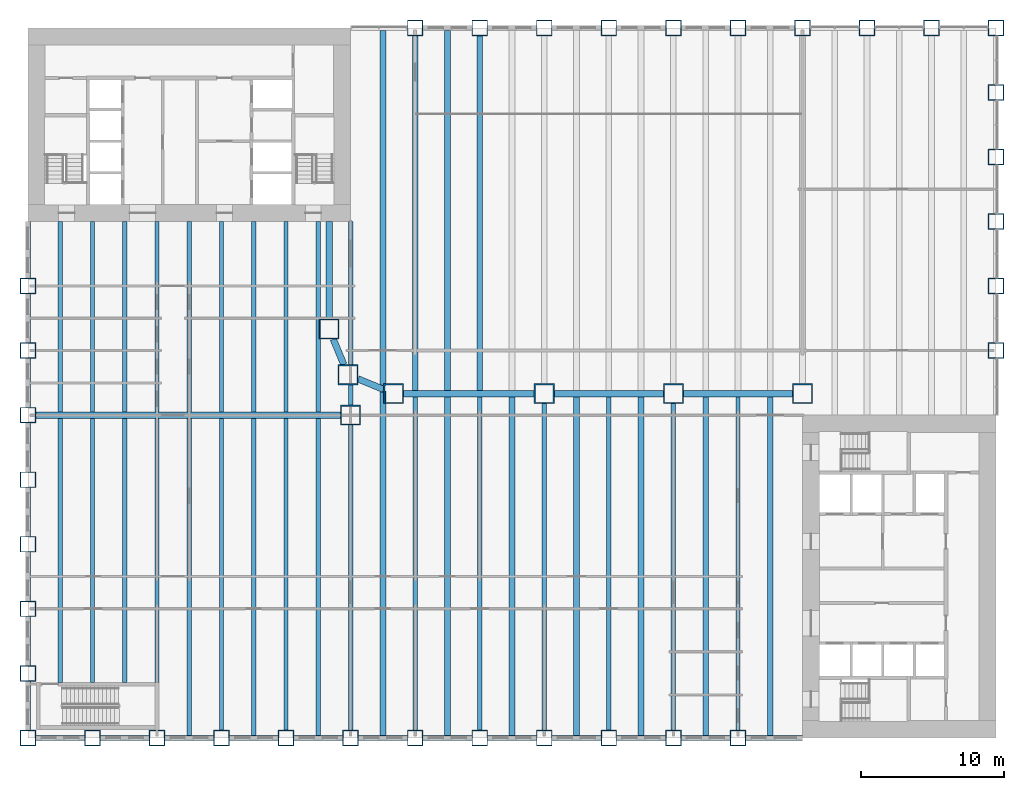
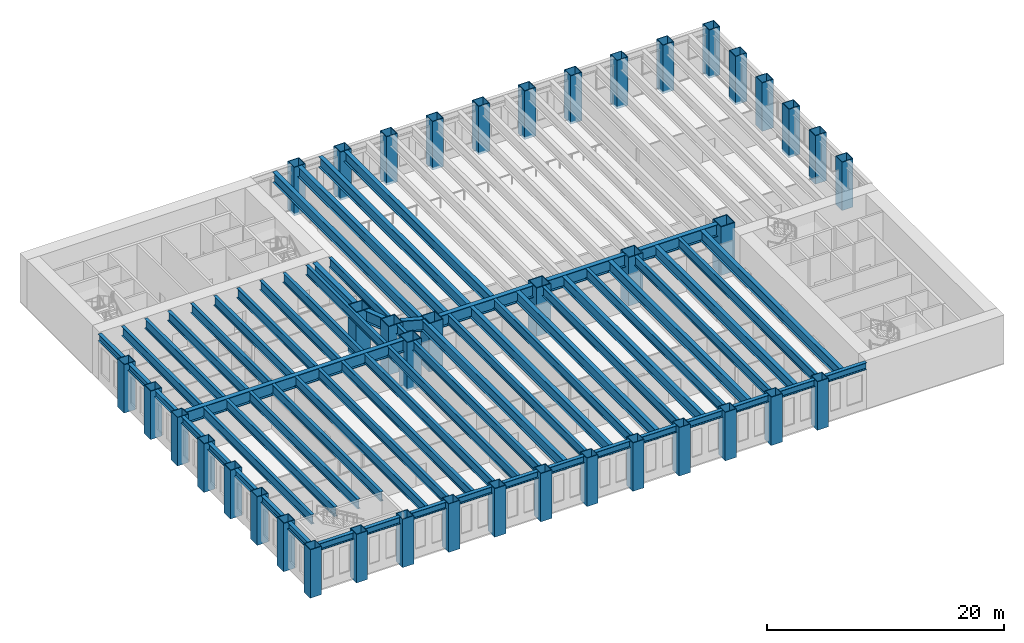
# One storey, part 1 of 19: 65 beams, 41 columns.
"""IFC4 building model written with IfcOpenShell, lengths in metres."""

from ifc_helpers import new_model, si_unit, direction, frame, origin, origin_2d, place, context, subcontext, project, spatial, hollow_rectangle, i_section, extrude, material, material_profile, profile_set, type_object, element, save


model = new_model("IFC4")

# Units and contexts
model_context = context("Model", 3, precision=1e-05, world=origin(), true_north=direction((0.0, 1.0)))
body_context = subcontext(model_context, "Body", "Model", "MODEL_VIEW")
ifc_project = project(units=[si_unit("LENGTHUNIT", "METRE"), si_unit("AREAUNIT", "SQUARE_METRE"), si_unit("VOLUMEUNIT", "CUBIC_METRE"), si_unit("PLANEANGLEUNIT", "RADIAN"), si_unit("MASSUNIT", "GRAM", prefix="KILO")], contexts=[model_context])

# Site, building, storey
site_placement = place(None, origin())
site = spatial("IfcSite", under=ifc_project, at=site_placement, CompositionType="ELEMENT")
building_placement = place(site_placement, origin())
building = spatial("IfcBuilding", under=site, at=building_placement, Name="Sennacour Bend Tower", CompositionType="ELEMENT")
storey_placement = place(building_placement, frame((0.0, 0.0, 14.0)))
storey = spatial("IfcBuildingStorey", under=building, at=storey_placement, Name="L02", CompositionType="ELEMENT", Elevation=14.0)

# Columns
ifc_material_1 = material(Name="Steel ASTM A572 Grade 50", Category="steel")
ifc_material_profile_1 = material_profile(ifc_material_1, hollow_rectangle(XDim=1.10009765625, YDim=1.10009765625, WallThickness=0.06005859375, at=origin_2d()), Name="Steel ASTM A572 Grade 50", Category="steel")
ifc_profile_set_1 = profile_set([ifc_material_profile_1], Name="Steel ASTM A572 Grade 50")
column_type_1 = type_object("IfcColumnType", Name="Box column 1100", PredefinedType="COLUMN", material=ifc_profile_set_1)
for number, where, z_axis, x_axis, name in (
    (1, (0.0, 0.0, -0.25), (0.0, 0.0, 1.0), (1.0, 0.0, 0.0), "Perimeter column C1 L02-001"),
    (2, (0.0, 4.5, -0.25), (0.0, 0.0, 1.0), (1.0, 0.0, 0.0), "Perimeter column C1 L02-002"),
    (3, (0.0, 9.0, -0.25), (0.0, 0.0, 1.0), (1.0, 0.0, 0.0), "Perimeter column C1 L02-003"),
    (4, (0.0, 13.5, -0.25), (0.0, 0.0, 1.0), (1.0, 0.0, 0.0), "Perimeter column C1 L02-004"),
    (5, (0.0, 18.0, -0.25), (0.0, 0.0, 1.0), (1.0, 0.0, 0.0), "Perimeter column C1 L02-005"),
    (6, (0.0, 22.5, -0.25), (0.0, 0.0, 1.0), (1.0, 0.0, 0.0), "Perimeter column C1 L02-006"),
    (7, (0.0, 27.0, -0.25), (0.0, 0.0, 1.0), (1.0, 0.0, 0.0), "Perimeter column C1 L02-007"),
    (8, (0.0, 31.5, -0.25), (0.0, 0.0, 1.0), (1.0, 0.0, 0.0), "Perimeter column C1 L02-008"),
    (9, (4.5, 0.0, -0.25), (0.0, 0.0, 1.0), (1.0, 0.0, 0.0), "Perimeter column C1 L02-009"),
    (10, (9.0, 0.0, -0.25), (0.0, 0.0, 1.0), (1.0, 0.0, 0.0), "Perimeter column C1 L02-010"),
    (11, (13.5, 0.0, -0.25), (0.0, 0.0, 1.0), (1.0, 0.0, 0.0), "Perimeter column C1 L02-011"),
    (12, (18.0, 0.0, -0.25), (0.0, 0.0, 1.0), (1.0, 0.0, 0.0), "Perimeter column C1 L02-012"),
    (13, (22.5, 0.0, -0.25), (0.0, 0.0, 1.0), (1.0, 0.0, 0.0), "Perimeter column C1 L02-015"),
    (14, (27.0, 0.0, -0.25), (0.0, 0.0, 1.0), (1.0, 0.0, 0.0), "Perimeter column C1 L02-018"),
    (15, (27.0, 49.5, -0.25), (0.0, 0.0, 1.0), (1.0, 0.0, 0.0), "Perimeter column C1 L02-019"),
    (16, (31.5, 0.0, -0.25), (0.0, 0.0, 1.0), (1.0, 0.0, 0.0), "Perimeter column C1 L02-020"),
    (17, (31.5, 49.5, -0.25), (0.0, 0.0, 1.0), (1.0, 0.0, 0.0), "Perimeter column C1 L02-021"),
    (18, (36.0, 0.0, -0.25), (0.0, 0.0, 1.0), (1.0, 0.0, 0.0), "Perimeter column C1 L02-022"),
    (19, (36.0, 49.5, -0.25), (0.0, 0.0, 1.0), (1.0, 0.0, 0.0), "Perimeter column C1 L02-024"),
    (20, (40.5, 0.0, -0.25), (0.0, 0.0, 1.0), (1.0, 0.0, 0.0), "Perimeter column C1 L02-025"),
    (21, (40.5, 49.5, -0.25), (0.0, 0.0, 1.0), (1.0, 0.0, 0.0), "Perimeter column C1 L02-026"),
    (22, (45.0, 0.0, -0.25), (0.0, 0.0, 1.0), (1.0, 0.0, 0.0), "Perimeter column C1 L02-027"),
    (23, (45.0, 49.5, -0.25), (0.0, 0.0, 1.0), (1.0, 0.0, 0.0), "Perimeter column C1 L02-029"),
    (24, (49.5, 0.0, -0.25), (0.0, 0.0, 1.0), (1.0, 0.0, 0.0), "Perimeter column C1 L02-030"),
    (25, (49.5, 49.5, -0.25), (0.0, 0.0, 1.0), (1.0, 0.0, 0.0), "Perimeter column C1 L02-031"),
    (26, (54.0, 49.5, -0.25), (0.0, 0.0, 1.0), (1.0, 0.0, 0.0), "Perimeter column C1 L02-033"),
    (27, (58.5, 49.5, -0.25), (0.0, 0.0, 1.0), (1.0, 0.0, 0.0), "Perimeter column C1 L02-034"),
    (28, (63.0, 49.5, -0.25), (0.0, 0.0, 1.0), (1.0, 0.0, 0.0), "Perimeter column C1 L02-035"),
    (29, (67.5, 27.0, -0.25), (0.0, 0.0, 1.0), (1.0, 0.0, 0.0), "Perimeter column C1 L02-036"),
    (30, (67.5, 31.5, -0.25), (0.0, 0.0, 1.0), (1.0, 0.0, 0.0), "Perimeter column C1 L02-037"),
    (31, (67.5, 36.0, -0.25), (0.0, 0.0, 1.0), (1.0, 0.0, 0.0), "Perimeter column C1 L02-038"),
    (32, (67.5, 40.5, -0.25), (0.0, 0.0, 1.0), (1.0, 0.0, 0.0), "Perimeter column C1 L02-039"),
    (33, (67.5, 45.0, -0.25), (0.0, 0.0, 1.0), (1.0, 0.0, 0.0), "Perimeter column C1 L02-040"),
    (34, (67.5, 49.5, -0.25), (0.0, 0.0, 1.0), (1.0, 0.0, 0.0), "Perimeter column C1 L02-041"),
):
    element("IfcColumn", number, at=place(storey_placement, frame(where, z_axis=z_axis, x_axis=x_axis)), inside=storey, type_object=column_type_1, Name=name, PredefinedType="COLUMN", context=body_context, shape_type="SweptSolid", body=[
        extrude(hollow_rectangle(XDim=1.10009765625, YDim=1.10009765625, WallThickness=0.06005859375, at=origin_2d()), origin(), (0.0, 0.0, 1.0), 5.0),
    ])
ifc_material_profile_2 = material_profile(ifc_material_1, hollow_rectangle(XDim=1.39990234375, YDim=1.39990234375, WallThickness=0.080078125, at=origin_2d()), Name="Steel ASTM A572 Grade 50", Category="steel")
ifc_profile_set_2 = profile_set([ifc_material_profile_2], Name="Steel ASTM A572 Grade 50")
column_type_2 = type_object("IfcColumnType", Name="Mega box column 1400", PredefinedType="COLUMN", material=ifc_profile_set_2)
for number, where, z_axis, x_axis, name in (
    (35, (21.0, 28.5, -0.25), (0.0, 0.0, 1.0), (1.0, 0.0, 0.0), "Mega column C0 L02-013"),
    (36, (22.318115234375, 25.318115234375, -0.25), (0.0, 0.0, 1.0), (1.0, 0.0, 0.0), "Mega column C0 L02-014"),
    (37, (22.5, 22.5, -0.25), (0.0, 0.0, 1.0), (1.0, 0.0, 0.0), "Knuckle column C0 L02-016"),
    (38, (25.5, 24.0, -0.25), (0.0, 0.0, 1.0), (1.0, 0.0, 0.0), "Mega column C0 L02-017"),
    (39, (36.0, 24.0, -0.25), (0.0, 0.0, 1.0), (1.0, 0.0, 0.0), "Mega column C0 L02-023"),
    (40, (45.0, 24.0, -0.25), (0.0, 0.0, 1.0), (1.0, 0.0, 0.0), "Mega column C0 L02-028"),
    (41, (54.0, 24.0, -0.25), (0.0, 0.0, 1.0), (1.0, 0.0, 0.0), "Mega column C0 L02-032"),
):
    element("IfcColumn", number, at=place(storey_placement, frame(where, z_axis=z_axis, x_axis=x_axis)), inside=storey, type_object=column_type_2, Name=name, PredefinedType="COLUMN", context=body_context, shape_type="SweptSolid", body=[
        extrude(hollow_rectangle(XDim=1.39990234375, YDim=1.39990234375, WallThickness=0.080078125, at=origin_2d()), origin(), (0.0, 0.0, 1.0), 5.0),
    ])

# Beams
ifc_material_2 = material(Name="Steel ASTM A992 Grade 50", Category="steel")
ifc_material_profile_3 = material_profile(ifc_material_2, i_section(OverallWidth=0.300048828125, OverallDepth=0.990966796875, WebThickness=0.0166015625, FlangeThickness=0.030517578125, FilletRadius=0.030029296875, at=origin_2d()), Name="Steel ASTM A992 Grade 50", Category="steel")
ifc_profile_set_3 = profile_set([ifc_material_profile_3], Name="Steel ASTM A992 Grade 50")
beam_type_1 = type_object("IfcBeamType", Name="Floor beam W1000X272", PredefinedType="BEAM", material=ifc_profile_set_3)
beam_1_placement = place(storey_placement, frame((2.25, 3.875, 4.25439453125), z_axis=(0.0, 1.0, 0.0), x_axis=(-1.0, 0.0, 0.0)))
element("IfcBeam", 42, at=beam_1_placement, inside=storey, type_object=beam_type_1, Name="Floor beam FBM3 L03-001", PredefinedType="BEAM", context=body_context, shape_type="SweptSolid", body=[
    extrude(i_section(OverallWidth=0.300048828125, OverallDepth=0.990966796875, WebThickness=0.0166015625, FlangeThickness=0.030517578125, FilletRadius=0.030029296875, at=origin_2d()), origin(), (0.0, 0.0, 1.0), 18.39990234375),
])
beam_2_placement = place(storey_placement, frame((2.25, 22.72509765625, 4.25439453125), z_axis=(0.0, 1.0, 0.0), x_axis=(-1.0, 0.0, 0.0)))
element("IfcBeam", 43, at=beam_2_placement, inside=storey, type_object=beam_type_1, Name="Floor beam FBM3 L03-002", PredefinedType="BEAM", context=body_context, shape_type="SweptSolid", body=[
    extrude(i_section(OverallWidth=0.300048828125, OverallDepth=0.990966796875, WebThickness=0.0166015625, FlangeThickness=0.030517578125, FilletRadius=0.030029296875, at=origin_2d()), origin(), (0.0, 0.0, 1.0), 13.27490234375),
])
beam_3_placement = place(storey_placement, frame((4.5, 3.875, 4.25439453125), z_axis=(0.0, 1.0, 0.0), x_axis=(-1.0, 0.0, 0.0)))
element("IfcBeam", 44, at=beam_3_placement, inside=storey, type_object=beam_type_1, Name="Floor beam FBM3 L03-003", PredefinedType="BEAM", context=body_context, shape_type="SweptSolid", body=[
    extrude(i_section(OverallWidth=0.300048828125, OverallDepth=0.990966796875, WebThickness=0.0166015625, FlangeThickness=0.030517578125, FilletRadius=0.030029296875, at=origin_2d()), origin(), (0.0, 0.0, 1.0), 18.39990234375),
])
beam_4_placement = place(storey_placement, frame((4.5, 22.72509765625, 4.25439453125), z_axis=(0.0, 1.0, 0.0), x_axis=(-1.0, 0.0, 0.0)))
element("IfcBeam", 45, at=beam_4_placement, inside=storey, type_object=beam_type_1, Name="Floor beam FBM3 L03-004", PredefinedType="BEAM", context=body_context, shape_type="SweptSolid", body=[
    extrude(i_section(OverallWidth=0.300048828125, OverallDepth=0.990966796875, WebThickness=0.0166015625, FlangeThickness=0.030517578125, FilletRadius=0.030029296875, at=origin_2d()), origin(), (0.0, 0.0, 1.0), 13.27490234375),
])
beam_5_placement = place(storey_placement, frame((6.75, 3.875, 4.25439453125), z_axis=(0.0, 1.0, 0.0), x_axis=(-1.0, 0.0, 0.0)))
element("IfcBeam", 46, at=beam_5_placement, inside=storey, type_object=beam_type_1, Name="Floor beam FBM3 L03-005", PredefinedType="BEAM", context=body_context, shape_type="SweptSolid", body=[
    extrude(i_section(OverallWidth=0.300048828125, OverallDepth=0.990966796875, WebThickness=0.0166015625, FlangeThickness=0.030517578125, FilletRadius=0.030029296875, at=origin_2d()), origin(), (0.0, 0.0, 1.0), 18.39990234375),
])
beam_6_placement = place(storey_placement, frame((6.75, 22.72509765625, 4.25439453125), z_axis=(0.0, 1.0, 0.0), x_axis=(-1.0, 0.0, 0.0)))
element("IfcBeam", 47, at=beam_6_placement, inside=storey, type_object=beam_type_1, Name="Floor beam FBM3 L03-006", PredefinedType="BEAM", context=body_context, shape_type="SweptSolid", body=[
    extrude(i_section(OverallWidth=0.300048828125, OverallDepth=0.990966796875, WebThickness=0.0166015625, FlangeThickness=0.030517578125, FilletRadius=0.030029296875, at=origin_2d()), origin(), (0.0, 0.0, 1.0), 13.27490234375),
])
beam_7_placement = place(storey_placement, frame((9.0, 3.875, 4.25439453125), z_axis=(0.0, 1.0, 0.0), x_axis=(-1.0, 0.0, 0.0)))
element("IfcBeam", 48, at=beam_7_placement, inside=storey, type_object=beam_type_1, Name="Floor beam FBM3 L03-007", PredefinedType="BEAM", context=body_context, shape_type="SweptSolid", body=[
    extrude(i_section(OverallWidth=0.300048828125, OverallDepth=0.990966796875, WebThickness=0.0166015625, FlangeThickness=0.030517578125, FilletRadius=0.030029296875, at=origin_2d()), origin(), (0.0, 0.0, 1.0), 18.39990234375),
])
beam_8_placement = place(storey_placement, frame((9.0, 22.72509765625, 4.25439453125), z_axis=(0.0, 1.0, 0.0), x_axis=(-1.0, 0.0, 0.0)))
element("IfcBeam", 49, at=beam_8_placement, inside=storey, type_object=beam_type_1, Name="Floor beam FBM3 L03-008", PredefinedType="BEAM", context=body_context, shape_type="SweptSolid", body=[
    extrude(i_section(OverallWidth=0.300048828125, OverallDepth=0.990966796875, WebThickness=0.0166015625, FlangeThickness=0.030517578125, FilletRadius=0.030029296875, at=origin_2d()), origin(), (0.0, 0.0, 1.0), 13.27490234375),
])
beam_9_placement = place(storey_placement, frame((11.25, 0.177978515625, 4.25439453125), z_axis=(0.0, 1.0, 0.0), x_axis=(-1.0, 0.0, 0.0)))
element("IfcBeam", 50, at=beam_9_placement, inside=storey, type_object=beam_type_1, Name="Floor beam FBM3 L03-009", PredefinedType="BEAM", context=body_context, shape_type="SweptSolid", body=[
    extrude(i_section(OverallWidth=0.300048828125, OverallDepth=0.990966796875, WebThickness=0.0166015625, FlangeThickness=0.030517578125, FilletRadius=0.030029296875, at=origin_2d()), origin(), (0.0, 0.0, 1.0), 22.096923828125),
])
beam_10_placement = place(storey_placement, frame((11.25, 22.72509765625, 4.25439453125), z_axis=(0.0, 1.0, 0.0), x_axis=(-1.0, 0.0, 0.0)))
element("IfcBeam", 51, at=beam_10_placement, inside=storey, type_object=beam_type_1, Name="Floor beam FBM3 L03-010", PredefinedType="BEAM", context=body_context, shape_type="SweptSolid", body=[
    extrude(i_section(OverallWidth=0.300048828125, OverallDepth=0.990966796875, WebThickness=0.0166015625, FlangeThickness=0.030517578125, FilletRadius=0.030029296875, at=origin_2d()), origin(), (0.0, 0.0, 1.0), 13.27490234375),
])
beam_11_placement = place(storey_placement, frame((13.5, 0.550048828125, 4.25439453125), z_axis=(0.0, 1.0, 0.0), x_axis=(-1.0, 0.0, 0.0)))
element("IfcBeam", 52, at=beam_11_placement, inside=storey, type_object=beam_type_1, Name="Floor beam FBM3 L03-011", PredefinedType="BEAM", context=body_context, shape_type="SweptSolid", body=[
    extrude(i_section(OverallWidth=0.300048828125, OverallDepth=0.990966796875, WebThickness=0.0166015625, FlangeThickness=0.030517578125, FilletRadius=0.030029296875, at=origin_2d()), origin(), (0.0, 0.0, 1.0), 21.724853515625),
])
beam_12_placement = place(storey_placement, frame((13.5, 22.72509765625, 4.25439453125), z_axis=(0.0, 1.0, 0.0), x_axis=(-1.0, 0.0, 0.0)))
element("IfcBeam", 53, at=beam_12_placement, inside=storey, type_object=beam_type_1, Name="Floor beam FBM3 L03-012", PredefinedType="BEAM", context=body_context, shape_type="SweptSolid", body=[
    extrude(i_section(OverallWidth=0.300048828125, OverallDepth=0.990966796875, WebThickness=0.0166015625, FlangeThickness=0.030517578125, FilletRadius=0.030029296875, at=origin_2d()), origin(), (0.0, 0.0, 1.0), 13.27490234375),
])
beam_13_placement = place(storey_placement, frame((15.75, 0.177978515625, 4.25439453125), z_axis=(0.0, 1.0, 0.0), x_axis=(-1.0, 0.0, 0.0)))
element("IfcBeam", 54, at=beam_13_placement, inside=storey, type_object=beam_type_1, Name="Floor beam FBM3 L03-013", PredefinedType="BEAM", context=body_context, shape_type="SweptSolid", body=[
    extrude(i_section(OverallWidth=0.300048828125, OverallDepth=0.990966796875, WebThickness=0.0166015625, FlangeThickness=0.030517578125, FilletRadius=0.030029296875, at=origin_2d()), origin(), (0.0, 0.0, 1.0), 22.096923828125),
])
beam_14_placement = place(storey_placement, frame((15.75, 22.72509765625, 4.25439453125), z_axis=(0.0, 1.0, 0.0), x_axis=(-1.0, 0.0, 0.0)))
element("IfcBeam", 55, at=beam_14_placement, inside=storey, type_object=beam_type_1, Name="Floor beam FBM3 L03-014", PredefinedType="BEAM", context=body_context, shape_type="SweptSolid", body=[
    extrude(i_section(OverallWidth=0.300048828125, OverallDepth=0.990966796875, WebThickness=0.0166015625, FlangeThickness=0.030517578125, FilletRadius=0.030029296875, at=origin_2d()), origin(), (0.0, 0.0, 1.0), 13.27490234375),
])
beam_15_placement = place(storey_placement, frame((18.0, 0.550048828125, 4.25439453125), z_axis=(0.0, 1.0, 0.0), x_axis=(-1.0, 0.0, 0.0)))
element("IfcBeam", 56, at=beam_15_placement, inside=storey, type_object=beam_type_1, Name="Floor beam FBM3 L03-015", PredefinedType="BEAM", context=body_context, shape_type="SweptSolid", body=[
    extrude(i_section(OverallWidth=0.300048828125, OverallDepth=0.990966796875, WebThickness=0.0166015625, FlangeThickness=0.030517578125, FilletRadius=0.030029296875, at=origin_2d()), origin(), (0.0, 0.0, 1.0), 21.724853515625),
])
beam_16_placement = place(storey_placement, frame((18.0, 22.72509765625, 4.25439453125), z_axis=(0.0, 1.0, 0.0), x_axis=(-1.0, 0.0, 0.0)))
element("IfcBeam", 57, at=beam_16_placement, inside=storey, type_object=beam_type_1, Name="Floor beam FBM3 L03-016", PredefinedType="BEAM", context=body_context, shape_type="SweptSolid", body=[
    extrude(i_section(OverallWidth=0.300048828125, OverallDepth=0.990966796875, WebThickness=0.0166015625, FlangeThickness=0.030517578125, FilletRadius=0.030029296875, at=origin_2d()), origin(), (0.0, 0.0, 1.0), 13.27490234375),
])
beam_17_placement = place(storey_placement, frame((20.25, 0.177978515625, 4.25439453125), z_axis=(0.0, 1.0, 0.0), x_axis=(-1.0, 0.0, 0.0)))
element("IfcBeam", 58, at=beam_17_placement, inside=storey, type_object=beam_type_1, Name="Floor beam FBM3 L03-017", PredefinedType="BEAM", context=body_context, shape_type="SweptSolid", body=[
    extrude(i_section(OverallWidth=0.300048828125, OverallDepth=0.990966796875, WebThickness=0.0166015625, FlangeThickness=0.030517578125, FilletRadius=0.030029296875, at=origin_2d()), origin(), (0.0, 0.0, 1.0), 22.096923828125),
])
beam_18_placement = place(storey_placement, frame((20.25, 22.72509765625, 4.25439453125), z_axis=(0.0, 1.0, 0.0), x_axis=(-1.0, 0.0, 0.0)))
element("IfcBeam", 59, at=beam_18_placement, inside=storey, type_object=beam_type_1, Name="Floor beam FBM3 L03-018", PredefinedType="BEAM", context=body_context, shape_type="SweptSolid", body=[
    extrude(i_section(OverallWidth=0.300048828125, OverallDepth=0.990966796875, WebThickness=0.0166015625, FlangeThickness=0.030517578125, FilletRadius=0.030029296875, at=origin_2d()), origin(), (0.0, 0.0, 1.0), 13.27490234375),
])
beam_19_placement = place(storey_placement, frame((22.5, 0.550048828125, 4.25439453125), z_axis=(0.0, 1.0, 0.0), x_axis=(-1.0, 0.0, 0.0)))
element("IfcBeam", 60, at=beam_19_placement, inside=storey, type_object=beam_type_1, Name="Floor beam FBM3 L03-019", PredefinedType="BEAM", context=body_context, shape_type="SweptSolid", body=[
    extrude(i_section(OverallWidth=0.300048828125, OverallDepth=0.990966796875, WebThickness=0.0166015625, FlangeThickness=0.030517578125, FilletRadius=0.030029296875, at=origin_2d()), origin(), (0.0, 0.0, 1.0), 21.25),
])
beam_20_placement = place(storey_placement, frame((22.5, 23.199951171875, 4.25439453125), z_axis=(0.0, 1.0, 0.0), x_axis=(-1.0, 0.0, 0.0)))
element("IfcBeam", 61, at=beam_20_placement, inside=storey, type_object=beam_type_1, Name="Floor beam FBM3 L03-020", PredefinedType="BEAM", context=body_context, shape_type="SweptSolid", body=[
    extrude(i_section(OverallWidth=0.300048828125, OverallDepth=0.990966796875, WebThickness=0.0166015625, FlangeThickness=0.030517578125, FilletRadius=0.030029296875, at=origin_2d()), origin(), (0.0, 0.0, 1.0), 1.41796875),
])
beam_21_placement = place(storey_placement, frame((22.5, 26.01806640625, 4.25439453125), z_axis=(0.0, 1.0, 0.0), x_axis=(-1.0, 0.0, 0.0)))
element("IfcBeam", 62, at=beam_21_placement, inside=storey, type_object=beam_type_1, Name="Floor beam FBM3 L03-021", PredefinedType="BEAM", context=body_context, shape_type="SweptSolid", body=[
    extrude(i_section(OverallWidth=0.300048828125, OverallDepth=0.990966796875, WebThickness=0.0166015625, FlangeThickness=0.030517578125, FilletRadius=0.030029296875, at=origin_2d()), origin(), (0.0, 0.0, 1.0), 9.98193359375),
])
for number, where, z_axis, x_axis, name in (
    (63, (27.0, 0.550048828125, 4.25439453125), (0.0, 1.0, 0.0), (-1.0, 0.0, 0.0), "Floor beam FBM3 L03-024"),
    (64, (31.5, 0.550048828125, 4.25439453125), (0.0, 1.0, 0.0), (-1.0, 0.0, 0.0), "Floor beam FBM3 L03-028"),
):
    element("IfcBeam", number, at=place(storey_placement, frame(where, z_axis=z_axis, x_axis=x_axis)), inside=storey, type_object=beam_type_1, Name=name, PredefinedType="BEAM", context=body_context, shape_type="SweptSolid", body=[
        extrude(i_section(OverallWidth=0.300048828125, OverallDepth=0.990966796875, WebThickness=0.0166015625, FlangeThickness=0.030517578125, FilletRadius=0.030029296875, at=origin_2d()), origin(), (0.0, 0.0, 1.0), 23.224853515625),
    ])
beam_22_placement = place(storey_placement, frame((36.0, 0.550048828125, 4.25439453125), z_axis=(0.0, 1.0, 0.0), x_axis=(-1.0, 0.0, 0.0)))
element("IfcBeam", 65, at=beam_22_placement, inside=storey, type_object=beam_type_1, Name="Floor beam FBM3 L03-032", PredefinedType="BEAM", context=body_context, shape_type="SweptSolid", body=[
    extrude(i_section(OverallWidth=0.300048828125, OverallDepth=0.990966796875, WebThickness=0.0166015625, FlangeThickness=0.030517578125, FilletRadius=0.030029296875, at=origin_2d()), origin(), (0.0, 0.0, 1.0), 22.75),
])
beam_23_placement = place(storey_placement, frame((40.5, 0.550048828125, 4.25439453125), z_axis=(0.0, 1.0, 0.0), x_axis=(-1.0, 0.0, 0.0)))
element("IfcBeam", 66, at=beam_23_placement, inside=storey, type_object=beam_type_1, Name="Floor beam FBM3 L03-036", PredefinedType="BEAM", context=body_context, shape_type="SweptSolid", body=[
    extrude(i_section(OverallWidth=0.300048828125, OverallDepth=0.990966796875, WebThickness=0.0166015625, FlangeThickness=0.030517578125, FilletRadius=0.030029296875, at=origin_2d()), origin(), (0.0, 0.0, 1.0), 23.224853515625),
])
beam_24_placement = place(storey_placement, frame((45.0, 0.550048828125, 4.25439453125), z_axis=(0.0, 1.0, 0.0), x_axis=(-1.0, 0.0, 0.0)))
element("IfcBeam", 67, at=beam_24_placement, inside=storey, type_object=beam_type_1, Name="Floor beam FBM3 L03-040", PredefinedType="BEAM", context=body_context, shape_type="SweptSolid", body=[
    extrude(i_section(OverallWidth=0.300048828125, OverallDepth=0.990966796875, WebThickness=0.0166015625, FlangeThickness=0.030517578125, FilletRadius=0.030029296875, at=origin_2d()), origin(), (0.0, 0.0, 1.0), 22.75),
])
beam_25_placement = place(storey_placement, frame((49.5, 0.550048828125, 4.25439453125), z_axis=(0.0, 1.0, 0.0), x_axis=(-1.0, 0.0, 0.0)))
element("IfcBeam", 68, at=beam_25_placement, inside=storey, type_object=beam_type_1, Name="Floor beam FBM3 L03-044", PredefinedType="BEAM", context=body_context, shape_type="SweptSolid", body=[
    extrude(i_section(OverallWidth=0.300048828125, OverallDepth=0.990966796875, WebThickness=0.0166015625, FlangeThickness=0.030517578125, FilletRadius=0.030029296875, at=origin_2d()), origin(), (0.0, 0.0, 1.0), 23.224853515625),
])
ifc_material_profile_4 = material_profile(ifc_material_1, i_section(OverallWidth=0.449951171875, OverallDepth=1.25, WebThickness=0.028076171875, FlangeThickness=0.050048828125, at=origin_2d()), Name="Steel ASTM A572 Grade 50", Category="steel")
ifc_profile_set_4 = profile_set([ifc_material_profile_4], Name="Steel ASTM A572 Grade 50")
beam_type_2 = type_object("IfcBeamType", Name="Knuckle girder 1250", PredefinedType="USERDEFINED", material=ifc_profile_set_4)
for number, where, z_axis, x_axis, name in (
    (69, (24.800048828125, 24.2900390625, 4.125), (-0.923894961945, 0.382646180293, 0.0), (-0.382646180293, -0.923894961945, 0.0), "Podium girder GK L03-001"),
    (70, (22.028076171875, 26.01806640625, 4.125), (-0.382646180293, 0.923894961945, 0.0), (-0.923894961945, -0.382646180293, 0.0), "Podium girder GK L03-002"),
):
    element("IfcBeam", number, at=place(storey_placement, frame(where, z_axis=z_axis, x_axis=x_axis)), inside=storey, type_object=beam_type_2, Name=name, ObjectType="KNUCKLE GIRDER", PredefinedType="USERDEFINED", context=body_context, shape_type="SweptSolid", body=[
        extrude(i_section(OverallWidth=0.449951171875, OverallDepth=1.25, WebThickness=0.028076171875, FlangeThickness=0.050048828125, at=origin_2d()), origin(), (0.0, 0.0, 1.0), 1.9287109375),
    ])
for number, where, z_axis, x_axis, name in (
    (71, (53.300048828125, 24.0, 4.125), (-1.0, 0.0, 0.0), (0.0, -1.0, 0.0), "Podium girder GK L03-003"),
    (72, (44.300048828125, 24.0, 4.125), (-1.0, 0.0, 0.0), (0.0, -1.0, 0.0), "Podium girder GK L03-004"),
):
    element("IfcBeam", number, at=place(storey_placement, frame(where, z_axis=z_axis, x_axis=x_axis)), inside=storey, type_object=beam_type_2, Name=name, ObjectType="KNUCKLE GIRDER", PredefinedType="USERDEFINED", context=body_context, shape_type="SweptSolid", body=[
        extrude(i_section(OverallWidth=0.449951171875, OverallDepth=1.25, WebThickness=0.028076171875, FlangeThickness=0.050048828125, at=origin_2d()), origin(), (0.0, 0.0, 1.0), 7.60009765625),
    ])
beam_26_placement = place(storey_placement, frame((35.300048828125, 24.0, 4.125), z_axis=(-1.0, 0.0, 0.0), x_axis=(0.0, -1.0, 0.0)))
element("IfcBeam", 73, at=beam_26_placement, inside=storey, type_object=beam_type_2, Name="Podium girder GK L03-005", ObjectType="KNUCKLE GIRDER", PredefinedType="USERDEFINED", context=body_context, shape_type="SweptSolid", body=[
    extrude(i_section(OverallWidth=0.449951171875, OverallDepth=1.25, WebThickness=0.028076171875, FlangeThickness=0.050048828125, at=origin_2d()), origin(), (0.0, 0.0, 1.0), 9.10009765625),
])
beam_27_placement = place(storey_placement, frame((21.0, 29.199951171875, 4.125), z_axis=(0.0, 1.0, 0.0), x_axis=(-1.0, 0.0, 0.0)))
element("IfcBeam", 74, at=beam_27_placement, inside=storey, type_object=beam_type_2, Name="Podium girder GK L03-006", ObjectType="KNUCKLE GIRDER", PredefinedType="USERDEFINED", context=body_context, shape_type="SweptSolid", body=[
    extrude(i_section(OverallWidth=0.449951171875, OverallDepth=1.25, WebThickness=0.028076171875, FlangeThickness=0.050048828125, at=origin_2d()), origin(), (0.0, 0.0, 1.0), 6.800048828125),
])
beam_28_placement = place(storey_placement, frame((0.550048828125, 22.5, 4.125), z_axis=(1.0, 0.0, 0.0), x_axis=(0.0, 1.0, 0.0)))
element("IfcBeam", 75, at=beam_28_placement, inside=storey, type_object=beam_type_2, Name="Knuckle girder GK L03-001", ObjectType="KNUCKLE GIRDER", PredefinedType="USERDEFINED", context=body_context, shape_type="SweptSolid", body=[
    extrude(i_section(OverallWidth=0.449951171875, OverallDepth=1.25, WebThickness=0.028076171875, FlangeThickness=0.050048828125, at=origin_2d()), origin(), (0.0, 0.0, 1.0), 21.25),
])
ifc_material_profile_5 = material_profile(ifc_material_2, i_section(OverallWidth=0.40087890625, OverallDepth=1.090087890625, WebThickness=0.01806640625, FlangeThickness=0.031005859375, FilletRadius=0.02001953125, at=origin_2d()), Name="Steel ASTM A992 Grade 50", Category="steel")
ifc_profile_set_5 = profile_set([ifc_material_profile_5], Name="Steel ASTM A992 Grade 50")
beam_type_3 = type_object("IfcBeamType", Name="Notch floor beam W1100X343", PredefinedType="BEAM", material=ifc_profile_set_5)
beam_29_placement = place(storey_placement, frame((24.75, 0.177978515625, 4.205078125), z_axis=(0.0, 1.0, 0.0), x_axis=(-1.0, 0.0, 0.0)))
element("IfcBeam", 76, at=beam_29_placement, inside=storey, type_object=beam_type_3, Name="Floor beam FBM4 L03-022", PredefinedType="BEAM", context=body_context, shape_type="SweptSolid", body=[
    extrude(i_section(OverallWidth=0.40087890625, OverallDepth=1.090087890625, WebThickness=0.01806640625, FlangeThickness=0.031005859375, FilletRadius=0.02001953125, at=origin_2d()), origin(), (0.0, 0.0, 1.0), 23.9912109375),
])
beam_30_placement = place(storey_placement, frame((24.75, 24.55419921875, 4.205078125), z_axis=(0.0, 1.0, 0.0), x_axis=(-1.0, 0.0, 0.0)))
element("IfcBeam", 77, at=beam_30_placement, inside=storey, type_object=beam_type_3, Name="Floor beam FBM4 L03-023", PredefinedType="BEAM", context=body_context, shape_type="SweptSolid", body=[
    extrude(i_section(OverallWidth=0.40087890625, OverallDepth=1.090087890625, WebThickness=0.01806640625, FlangeThickness=0.031005859375, FilletRadius=0.02001953125, at=origin_2d()), origin(), (0.0, 0.0, 1.0), 24.767822265625),
])
beam_31_placement = place(storey_placement, frame((27.0, 24.22509765625, 4.205078125), z_axis=(0.0, 1.0, 0.0), x_axis=(-1.0, 0.0, 0.0)))
element("IfcBeam", 78, at=beam_31_placement, inside=storey, type_object=beam_type_3, Name="Floor beam FBM4 L03-025", PredefinedType="BEAM", context=body_context, shape_type="SweptSolid", body=[
    extrude(i_section(OverallWidth=0.40087890625, OverallDepth=1.090087890625, WebThickness=0.01806640625, FlangeThickness=0.031005859375, FilletRadius=0.02001953125, at=origin_2d()), origin(), (0.0, 0.0, 1.0), 24.724853515625),
])
beam_32_placement = place(storey_placement, frame((29.25, 0.177978515625, 4.205078125), z_axis=(0.0, 1.0, 0.0), x_axis=(-1.0, 0.0, 0.0)))
element("IfcBeam", 79, at=beam_32_placement, inside=storey, type_object=beam_type_3, Name="Floor beam FBM4 L03-026", PredefinedType="BEAM", context=body_context, shape_type="SweptSolid", body=[
    extrude(i_section(OverallWidth=0.40087890625, OverallDepth=1.090087890625, WebThickness=0.01806640625, FlangeThickness=0.031005859375, FilletRadius=0.02001953125, at=origin_2d()), origin(), (0.0, 0.0, 1.0), 23.596923828125),
])
beam_33_placement = place(storey_placement, frame((29.25, 24.22509765625, 4.205078125), z_axis=(0.0, 1.0, 0.0), x_axis=(-1.0, 0.0, 0.0)))
element("IfcBeam", 80, at=beam_33_placement, inside=storey, type_object=beam_type_3, Name="Floor beam FBM4 L03-027", PredefinedType="BEAM", context=body_context, shape_type="SweptSolid", body=[
    extrude(i_section(OverallWidth=0.40087890625, OverallDepth=1.090087890625, WebThickness=0.01806640625, FlangeThickness=0.031005859375, FilletRadius=0.02001953125, at=origin_2d()), origin(), (0.0, 0.0, 1.0), 25.096923828125),
])
beam_34_placement = place(storey_placement, frame((31.5, 24.22509765625, 4.205078125), z_axis=(0.0, 1.0, 0.0), x_axis=(-1.0, 0.0, 0.0)))
element("IfcBeam", 81, at=beam_34_placement, inside=storey, type_object=beam_type_3, Name="Floor beam FBM4 L03-029", PredefinedType="BEAM", context=body_context, shape_type="SweptSolid", body=[
    extrude(i_section(OverallWidth=0.40087890625, OverallDepth=1.090087890625, WebThickness=0.01806640625, FlangeThickness=0.031005859375, FilletRadius=0.02001953125, at=origin_2d()), origin(), (0.0, 0.0, 1.0), 24.724853515625),
])
for number, where, z_axis, x_axis, name in (
    (82, (33.75, 0.177978515625, 4.205078125), (0.0, 1.0, 0.0), (-1.0, 0.0, 0.0), "Floor beam FBM4 L03-030"),
    (83, (38.25, 0.177978515625, 4.205078125), (0.0, 1.0, 0.0), (-1.0, 0.0, 0.0), "Floor beam FBM4 L03-034"),
    (84, (42.75, 0.177978515625, 4.205078125), (0.0, 1.0, 0.0), (-1.0, 0.0, 0.0), "Floor beam FBM4 L03-038"),
    (85, (47.25, 0.177978515625, 4.205078125), (0.0, 1.0, 0.0), (-1.0, 0.0, 0.0), "Floor beam FBM4 L03-042"),
    (86, (51.75, 0.177978515625, 4.205078125), (0.0, 1.0, 0.0), (-1.0, 0.0, 0.0), "Floor beam FBM4 L03-046"),
):
    element("IfcBeam", number, at=place(storey_placement, frame(where, z_axis=z_axis, x_axis=x_axis)), inside=storey, type_object=beam_type_3, Name=name, PredefinedType="BEAM", context=body_context, shape_type="SweptSolid", body=[
        extrude(i_section(OverallWidth=0.40087890625, OverallDepth=1.090087890625, WebThickness=0.01806640625, FlangeThickness=0.031005859375, FilletRadius=0.02001953125, at=origin_2d()), origin(), (0.0, 0.0, 1.0), 23.596923828125),
    ])
ifc_material_profile_6 = material_profile(ifc_material_2, i_section(OverallWidth=0.35595703125, OverallDepth=0.714111328125, WebThickness=0.01904296875, FlangeThickness=0.033935546875, FilletRadius=0.02001953125, at=origin_2d()), Name="Steel ASTM A992 Grade 50", Category="steel")
ifc_profile_set_6 = profile_set([ifc_material_profile_6], Name="Steel ASTM A992 Grade 50")
beam_type_4 = type_object("IfcBeamType", Name="Spandrel beam W690X289", PredefinedType="SPANDREL", material=ifc_profile_set_6)
beam_35_placement = place(storey_placement, frame((0.0, 36.0, 4.39306640625), z_axis=(0.0, -1.0, 0.0), x_axis=(1.0, 0.0, 0.0)))
element("IfcBeam", 87, at=beam_35_placement, inside=storey, type_object=beam_type_4, Name="Spandrel beam SP1 L03-016", PredefinedType="SPANDREL", context=body_context, shape_type="SweptSolid", body=[
    extrude(i_section(OverallWidth=0.35595703125, OverallDepth=0.714111328125, WebThickness=0.01904296875, FlangeThickness=0.033935546875, FilletRadius=0.02001953125, at=origin_2d()), origin(), (0.0, 0.0, 1.0), 3.949951171875),
])
for number, where, z_axis, x_axis, name in (
    (88, (0.0, 30.949951171875, 4.39306640625), (0.0, -1.0, 0.0), (1.0, 0.0, 0.0), "Spandrel beam SP1 L03-017"),
    (89, (0.0, 26.449951171875, 4.39306640625), (0.0, -1.0, 0.0), (1.0, 0.0, 0.0), "Spandrel beam SP1 L03-018"),
    (90, (0.0, 21.949951171875, 4.39306640625), (0.0, -1.0, 0.0), (1.0, 0.0, 0.0), "Spandrel beam SP1 L03-019"),
    (91, (0.0, 17.449951171875, 4.39306640625), (0.0, -1.0, 0.0), (1.0, 0.0, 0.0), "Spandrel beam SP1 L03-020"),
    (92, (0.0, 12.949951171875, 4.39306640625), (0.0, -1.0, 0.0), (1.0, 0.0, 0.0), "Spandrel beam SP1 L03-021"),
    (93, (0.0, 8.449951171875, 4.39306640625), (0.0, -1.0, 0.0), (1.0, 0.0, 0.0), "Spandrel beam SP1 L03-022"),
    (94, (0.0, 3.949951171875, 4.39306640625), (0.0, -1.0, 0.0), (1.0, 0.0, 0.0), "Spandrel beam SP1 L03-023"),
    (95, (0.550048828125, 0.0, 4.39306640625), (1.0, 0.0, 0.0), (0.0, 1.0, 0.0), "Spandrel beam SP1 L03-024"),
    (96, (5.050048828125, 0.0, 4.39306640625), (1.0, 0.0, 0.0), (0.0, 1.0, 0.0), "Spandrel beam SP1 L03-025"),
    (97, (9.550048828125, 0.0, 4.39306640625), (1.0, 0.0, 0.0), (0.0, 1.0, 0.0), "Spandrel beam SP1 L03-026"),
    (98, (14.050048828125, 0.0, 4.39306640625), (1.0, 0.0, 0.0), (0.0, 1.0, 0.0), "Spandrel beam SP1 L03-027"),
    (99, (18.550048828125, 0.0, 4.39306640625), (1.0, 0.0, 0.0), (0.0, 1.0, 0.0), "Spandrel beam SP1 L03-028"),
    (100, (23.050048828125, 0.0, 4.39306640625), (1.0, 0.0, 0.0), (0.0, 1.0, 0.0), "Spandrel beam SP1 L03-029"),
    (101, (27.550048828125, 0.0, 4.39306640625), (1.0, 0.0, 0.0), (0.0, 1.0, 0.0), "Spandrel beam SP1 L03-030"),
    (102, (32.050048828125, 0.0, 4.39306640625), (1.0, 0.0, 0.0), (0.0, 1.0, 0.0), "Spandrel beam SP1 L03-031"),
    (103, (36.550048828125, 0.0, 4.39306640625), (1.0, 0.0, 0.0), (0.0, 1.0, 0.0), "Spandrel beam SP1 L03-032"),
    (104, (41.050048828125, 0.0, 4.39306640625), (1.0, 0.0, 0.0), (0.0, 1.0, 0.0), "Spandrel beam SP1 L03-033"),
    (105, (45.550048828125, 0.0, 4.39306640625), (1.0, 0.0, 0.0), (0.0, 1.0, 0.0), "Spandrel beam SP1 L03-034"),
):
    element("IfcBeam", number, at=place(storey_placement, frame(where, z_axis=z_axis, x_axis=x_axis)), inside=storey, type_object=beam_type_4, Name=name, PredefinedType="SPANDREL", context=body_context, shape_type="SweptSolid", body=[
        extrude(i_section(OverallWidth=0.35595703125, OverallDepth=0.714111328125, WebThickness=0.01904296875, FlangeThickness=0.033935546875, FilletRadius=0.02001953125, at=origin_2d()), origin(), (0.0, 0.0, 1.0), 3.39990234375),
    ])
beam_36_placement = place(storey_placement, frame((50.050048828125, 0.0, 4.39306640625), z_axis=(1.0, 0.0, 0.0), x_axis=(0.0, 1.0, 0.0)))
element("IfcBeam", 106, at=beam_36_placement, inside=storey, type_object=beam_type_4, Name="Spandrel beam SP1 L03-035", PredefinedType="SPANDREL", context=body_context, shape_type="SweptSolid", body=[
    extrude(i_section(OverallWidth=0.35595703125, OverallDepth=0.714111328125, WebThickness=0.01904296875, FlangeThickness=0.033935546875, FilletRadius=0.02001953125, at=origin_2d()), origin(), (0.0, 0.0, 1.0), 3.949951171875),
])

save(model, "model.ifc")
